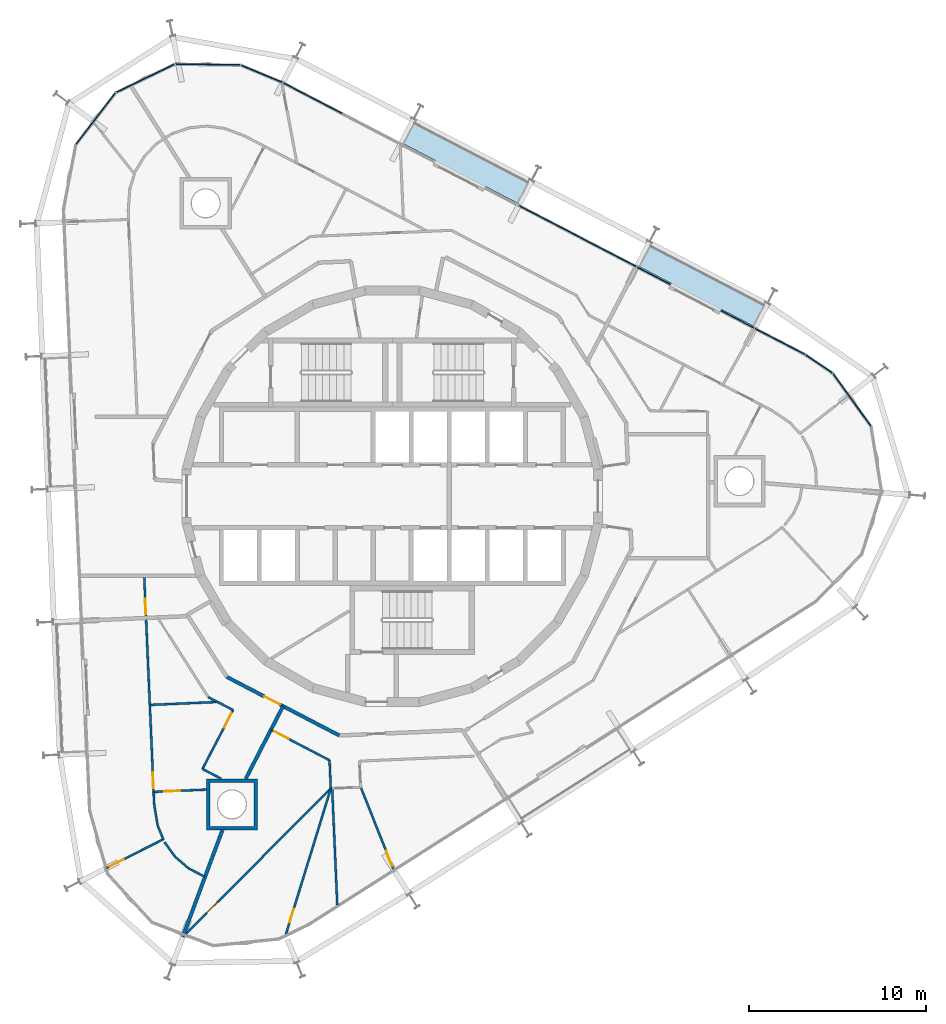
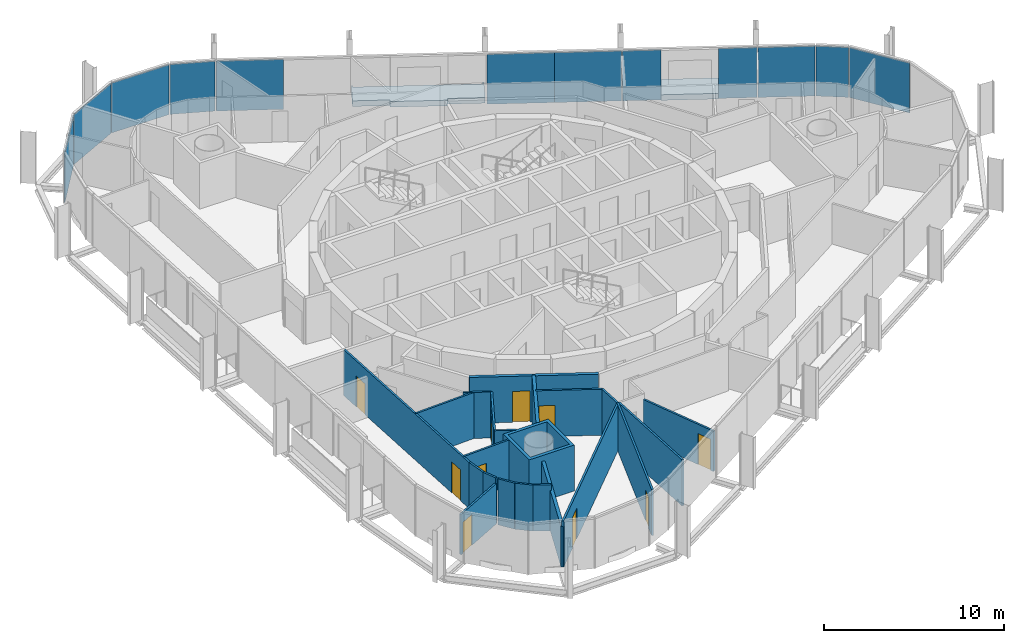
# One storey, part 11 of 17: 22 walls, 12 plates, 10 doors, 2 slabs, 10 openings, 3 elements without a shape of their own.
"""IFC4 building model written with IfcOpenShell, lengths in metres."""

from ifc_helpers import new_model, si_unit, direction, frame, frame_2d, origin, origin_2d, place, context, subcontext, project, spatial, polyline, rectangle, outline, extrude, material, layer, layer_set, type_object, element, fill, aggregate, save


model = new_model("IFC4")

# Units and contexts
model_context = context("Model", 3, precision=1e-05, world=origin(), true_north=direction((0.0, 1.0)))
body_context = subcontext(model_context, "Body", "Model", "MODEL_VIEW")
ifc_project = project(units=[si_unit("LENGTHUNIT", "METRE"), si_unit("AREAUNIT", "SQUARE_METRE"), si_unit("VOLUMEUNIT", "CUBIC_METRE"), si_unit("PLANEANGLEUNIT", "RADIAN"), si_unit("MASSUNIT", "GRAM", prefix="KILO")], contexts=[model_context])

# Site, building, storey
site_placement = place(None, origin())
site = spatial("IfcSite", under=ifc_project, at=site_placement, CompositionType="ELEMENT")
building_placement = place(site_placement, origin())
building = spatial("IfcBuilding", under=site, at=building_placement, Name="Spindle Arch Residences", CompositionType="ELEMENT")
storey_placement = place(building_placement, frame((0.0, 0.0, 237.199951171875)))
storey = spatial("IfcBuildingStorey", under=building, at=storey_placement, Name="L60", CompositionType="ELEMENT", Elevation=237.199951171875)

# Slabs
ifc_material_1 = material(Name="Concrete C40/50", Category="concrete")
ifc_layer_1 = layer(ifc_material_1, 0.3798828125)
ifc_layer_set_1 = layer_set([ifc_layer_1], Name="Balcony slab 380")
slab_type = type_object("IfcSlabType", Name="Balcony slab 380", PredefinedType="FLOOR", material=ifc_layer_set_1)
slab_1_placement = place(storey_placement, frame((0.0, 0.0, -0.3798828125)))
element("IfcSlab", 1, at=slab_1_placement, inside=storey, type_object=slab_type, Name="Balcony L60 bay 6", PredefinedType="FLOOR", context=body_context, shape_type="SweptSolid", body=[
    extrude(outline(polyline([(21.175537109375, 10.94287109375), (21.109130859375, 10.9775390625), (21.039794921875, 10.844482421875), (14.626708984375, 14.18310546875), (14.696044921875, 14.316162109375), (14.62939453125, 14.3505859375), (13.94140625, 13.029052734375), (15.79541015625, 12.06396484375), (15.721435546875, 11.922119140625), (18.559814453125, 10.444580078125), (18.6337890625, 10.58642578125), (20.487548828125, 9.621337890625), (21.175537109375, 10.94287109375)])), origin(), (0.0, 0.0, 1.0), 0.3798828125),
])
slab_2_placement = place(storey_placement, frame((0.0, 0.0, -0.3798828125)))
element("IfcSlab", 2, at=slab_2_placement, inside=storey, type_object=slab_type, Name="Balcony L60 bay 8", PredefinedType="FLOOR", context=body_context, shape_type="SweptSolid", body=[
    extrude(outline(polyline([(7.817138671875, 17.89697265625), (7.75048828125, 17.931640625), (7.681396484375, 17.798583984375), (1.268310546875, 21.136962890625), (1.33740234375, 21.27001953125), (1.27099609375, 21.3046875), (0.5830078125, 19.983154296875), (2.436767578125, 19.01806640625), (2.363037109375, 18.8759765625), (5.201416015625, 17.3984375), (5.275146484375, 17.540283203125), (7.129150390625, 16.5751953125), (7.817138671875, 17.89697265625)])), origin(), (0.0, 0.0, 1.0), 0.3798828125),
])

# Curtain wall, plates
ifc_material_2 = material(Name="Aluminium bronze unitised frame with tinted glass", Category="aluminium")
ifc_layer_2 = layer(ifc_material_2, 0.159912109375)
ifc_layer_set_2 = layer_set([ifc_layer_2], Name="CW-D corner wall on the fillet arcs")
curtain_wall_type_1 = type_object("IfcCurtainWallType", Name="CW-D corner wall on the fillet arcs", PredefinedType="NOTDEFINED", material=ifc_layer_set_2)
curtain_wall_1_placement = place(storey_placement, origin())
curtain_wall_1 = element("IfcCurtainWall", 3, at=curtain_wall_1_placement, inside=storey, type_object=curtain_wall_type_1, Name="CW-D L60 run 1", PredefinedType="NOTDEFINED")
ifc_material_3 = material(Name="Tinted double glazing over aluminium faced non-combustible spandrel zone (K0)", Category="aluminium")
ifc_layer_3 = layer(ifc_material_3, 0.06005859375)
ifc_layer_set_3 = layer_set([ifc_layer_3], Name="Unitised glass panel with E 60 spandrel zone")
plate_type = type_object("IfcPlateType", Name="Unitised glass panel with E 60 spandrel zone", PredefinedType="CURTAIN_PANEL", material=ifc_layer_set_3)
plate_1_placement = place(storey_placement, frame((26.024169921875, 5.460693359375, -0.3798828125), z_axis=(0.0, 0.0, 1.0), x_axis=(-0.585429431289, 0.810723368962, 0.0)))
plate_1 = element("IfcPlate", 4, at=plate_1_placement, type_object=plate_type, Name="CW-D unit 04", PredefinedType="CURTAIN_PANEL", context=body_context, shape_type="SweptSolid", body=[
    extrude(rectangle(XDim=3.666748046875, YDim=0.06005859375, at=origin_2d()), origin(), (0.0, 0.0, 1.0), 3.3798828125),
])
plate_2_placement = place(storey_placement, frame((24.156982421875, 7.498291015625, -0.3798828125), z_axis=(0.0, 0.0, 1.0), x_axis=(-0.827407441981, 0.561602105546, 0.0)))
plate_2 = element("IfcPlate", 5, at=plate_2_placement, type_object=plate_type, Name="CW-D unit 05", PredefinedType="CURTAIN_PANEL", context=body_context, shape_type="SweptSolid", body=[
    extrude(rectangle(XDim=1.816162109375, YDim=0.06005859375, at=origin_2d()), origin(), (0.0, 0.0, 1.0), 3.3798828125),
])
plate_3_placement = place(storey_placement, frame((21.948974609375, 8.770263671875, -0.3798828125), z_axis=(0.0, 0.0, 1.0), x_axis=(-0.887010833178, 0.461748613235, 0.0)))
plate_3 = element("IfcPlate", 6, at=plate_3_placement, type_object=plate_type, Name="CW-D unit 06", PredefinedType="CURTAIN_PANEL", context=body_context, shape_type="SweptSolid", body=[
    extrude(rectangle(XDim=3.16845703125, YDim=0.06005859375, at=origin_2d()), origin(), (0.0, 0.0, 1.0), 3.3798828125),
])
aggregate(curtain_wall_1, [plate_1, plate_2, plate_3])

ifc_material_4 = material(Name="Aluminium bronze unitised frame with tinted glass", Category="aluminium")
ifc_layer_4 = layer(ifc_material_4, 0.159912109375)
ifc_layer_set_4 = layer_set([ifc_layer_4], Name="CW-C typical residential unitised wall")
curtain_wall_type_2 = type_object("IfcCurtainWallType", Name="CW-C typical residential unitised wall", PredefinedType="NOTDEFINED", material=ifc_layer_set_4)
curtain_wall_2_placement = place(storey_placement, origin())
curtain_wall_2 = element("IfcCurtainWall", 7, at=curtain_wall_2_placement, inside=storey, type_object=curtain_wall_type_2, Name="CW-C L60 run 2", PredefinedType="NOTDEFINED")
plate_4_placement = place(storey_placement, frame((19.543701171875, 10.0224609375, -0.3798828125), z_axis=(0.0, 0.0, 1.0), x_axis=(-0.887010833178, 0.461748613235, 0.0)))
plate_4 = element("IfcPlate", 8, at=plate_4_placement, type_object=plate_type, Name="CW-C unit 05L", PredefinedType="CURTAIN_PANEL", context=body_context, shape_type="SweptSolid", body=[
    extrude(rectangle(XDim=2.135009765625, YDim=0.06005859375, at=origin_2d()), origin(), (0.0, 0.0, 1.0), 3.3798828125),
])
plate_5_placement = place(storey_placement, frame((14.8115234375, 12.48583984375, -0.3798828125), z_axis=(0.0, 0.0, 1.0), x_axis=(-0.887010833178, 0.461748613235, 0.0)))
plate_5 = element("IfcPlate", 9, at=plate_5_placement, type_object=plate_type, Name="CW-C unit 05R", PredefinedType="CURTAIN_PANEL", context=body_context, shape_type="SweptSolid", body=[
    extrude(rectangle(XDim=2.135009765625, YDim=0.06005859375, at=origin_2d()), origin(), (0.0, 0.0, 1.0), 3.3798828125),
])
plate_6_placement = place(storey_placement, frame((12.15478515625, 13.868896484375, -0.3798828125), z_axis=(0.0, 0.0, 1.0), x_axis=(-0.887010833178, 0.461748613235, 0.0)))
plate_6 = element("IfcPlate", 10, at=plate_6_placement, type_object=plate_type, Name="CW-C unit 06A", PredefinedType="CURTAIN_PANEL", context=body_context, shape_type="SweptSolid", body=[
    extrude(rectangle(XDim=3.735107421875, YDim=0.06005859375, at=origin_2d()), origin(), (0.0, 0.0, 1.0), 3.3798828125),
])
plate_7_placement = place(storey_placement, frame((8.841796875, 15.593505859375, -0.3798828125), z_axis=(0.0, 0.0, 1.0), x_axis=(-0.887010833178, 0.461748613235, 0.0)))
plate_7 = element("IfcPlate", 11, at=plate_7_placement, type_object=plate_type, Name="CW-C unit 06B", PredefinedType="CURTAIN_PANEL", context=body_context, shape_type="SweptSolid", body=[
    extrude(rectangle(XDim=3.735107421875, YDim=0.06005859375, at=origin_2d()), origin(), (0.0, 0.0, 1.0), 3.3798828125),
])
plate_8_placement = place(storey_placement, frame((-4.5166015625, 22.547607421875, -0.3798828125), z_axis=(0.0, 0.0, 1.0), x_axis=(-0.887010833178, 0.461748613235, 0.0)))
plate_8 = element("IfcPlate", 12, at=plate_8_placement, type_object=plate_type, Name="CW-C unit 08B", PredefinedType="CURTAIN_PANEL", context=body_context, shape_type="SweptSolid", body=[
    extrude(rectangle(XDim=3.735107421875, YDim=0.06005859375, at=origin_2d()), origin(), (0.0, 0.0, 1.0), 3.3798828125),
])
aggregate(curtain_wall_2, [plate_4, plate_5, plate_6, plate_7, plate_8])

curtain_wall_3_placement = place(storey_placement, origin())
curtain_wall_3 = element("IfcCurtainWall", 13, at=curtain_wall_3_placement, inside=storey, type_object=curtain_wall_type_1, Name="CW-D L60 run 3", PredefinedType="NOTDEFINED")
plate_9_placement = place(storey_placement, frame((-7.39501953125, 23.923095703125, -0.3798828125), z_axis=(0.0, 0.0, 1.0), x_axis=(-0.92268610302, 0.385552013734, 0.0)))
plate_9 = element("IfcPlate", 14, at=plate_9_placement, type_object=plate_type, Name="CW-D unit 00", PredefinedType="CURTAIN_PANEL", context=body_context, shape_type="SweptSolid", body=[
    extrude(rectangle(XDim=2.531005859375, YDim=0.06005859375, at=origin_2d()), origin(), (0.0, 0.0, 1.0), 3.3798828125),
])
plate_10_placement = place(storey_placement, frame((-10.45361328125, 24.44970703125, -0.3798828125), z_axis=(0.0, 0.0, 1.0), x_axis=(-0.999894231949, 0.014543896145, 0.0)))
plate_10 = element("IfcPlate", 15, at=plate_10_placement, type_object=plate_type, Name="CW-D unit 01", PredefinedType="CURTAIN_PANEL", context=body_context, shape_type="SweptSolid", body=[
    extrude(rectangle(XDim=3.666748046875, YDim=0.06005859375, at=origin_2d()), origin(), (0.0, 0.0, 1.0), 3.3798828125),
])
plate_11_placement = place(storey_placement, frame((-13.993896484375, 23.664794921875, -0.3798828125), z_axis=(0.0, 0.0, 1.0), x_axis=(-0.900065409075, -0.435754815677, 0.0)))
plate_11 = element("IfcPlate", 16, at=plate_11_placement, type_object=plate_type, Name="CW-D unit 02", PredefinedType="CURTAIN_PANEL", context=body_context, shape_type="SweptSolid", body=[
    extrude(rectangle(XDim=3.666748046875, YDim=0.06005859375, at=origin_2d()), origin(), (0.0, 0.0, 1.0), 3.3798828125),
])
plate_12_placement = place(storey_placement, frame((-16.805419921875, 21.37451171875, -0.3798828125), z_axis=(0.0, 0.0, 1.0), x_axis=(-0.60876142329, -0.793353344679, 0.0)))
plate_12 = element("IfcPlate", 17, at=plate_12_placement, type_object=plate_type, Name="CW-D unit 03", PredefinedType="CURTAIN_PANEL", context=body_context, shape_type="SweptSolid", body=[
    extrude(rectangle(XDim=3.666748046875, YDim=0.06005859375, at=origin_2d()), origin(), (0.0, 0.0, 1.0), 3.3798828125),
])
aggregate(curtain_wall_3, [plate_9, plate_10, plate_11, plate_12])

# Wall, opening, door
ifc_material_5 = material(Name="Calcium silicate block, plastered")
ifc_layer_5 = layer(ifc_material_5, 0.199951171875)
ifc_layer_set_5 = layer_set([ifc_layer_5], Name="Corridor wall 200")
wall_type_1 = type_object("IfcWallType", Name="Corridor wall 200", PredefinedType="STANDARD", material=ifc_layer_set_5)
wall_1_placement = place(storey_placement, frame((-9.372314453125, -10.22802734375, 0.0), z_axis=(0.0, 0.0, 1.0), x_axis=(0.887005184532, -0.461759464021, 0.0)))
wall_1 = element("IfcWall", 18, at=wall_1_placement, inside=storey, type_object=wall_type_1, Name="Corridor wall R6B1-W019", PredefinedType="STANDARD", context=body_context, shape_type="SweptSolid", body=[
    extrude(rectangle(XDim=7.18115234375, YDim=0.199951171875, at=frame_2d((3.590576171875, 0.0))), origin(), (0.0, 0.0, 1.0), 3.1201171875),
])
opening_1_placement = place(wall_1_placement, frame((2.390625, 0.0, 0.0)))
opening_1 = element("IfcOpeningElement", 19, at=opening_1_placement, cuts=wall_1, Name="Opening R6B1-FD04", PredefinedType="OPENING", context=body_context, shape_type="SweptSolid", body=[
    extrude(rectangle(XDim=1.0, YDim=2.10009765625, at=frame_2d((0.5, 1.050048828125))), frame((0.0, 0.10986328125, 0.0), z_axis=(0.0, -1.0, 0.0), x_axis=(1.0, 0.0, 0.0)), (0.0, 0.0, 1.0), 0.219970703125),
])
ifc_material_6 = material(Name="Timber, fire-resisting door set", Category="wood")
door_type_1 = type_object("IfcDoorType", Name="Flat entrance door 1000x2100", OperationType="NOTDEFINED", PredefinedType="DOOR", material=ifc_material_6)
door_1_placement = place(opening_1_placement, origin())
door_1 = element("IfcDoor", 20, at=door_1_placement, inside=storey, type_object=door_type_1, Name="Flat entrance door R6B1-FD04", OperationType="SINGLE_SWING_RIGHT", OverallHeight=2.10009765625, OverallWidth=1.0, PredefinedType="DOOR", context=body_context, shape_type="SweptSolid", body=[
    extrude(rectangle(XDim=1.0, YDim=2.10009765625, at=frame_2d((0.5, 1.050048828125))), frame((0.0, 0.02490234375, 0.0), z_axis=(0.0, -1.0, 0.0), x_axis=(1.0, 0.0, 0.0)), (0.0, 0.0, 1.0), 0.050048828125),
])
fill(opening_1, door_1)

# Wall, openings, doors
ifc_material_7 = material(Name="Plasterboard on steel studs", Category="steel")
ifc_layer_6 = layer(ifc_material_7, 0.1201171875)
ifc_layer_set_6 = layer_set([ifc_layer_6], Name="Flat partition 120")
wall_type_2 = type_object("IfcWallType", Name="Flat partition 120", PredefinedType="PARTITIONING", material=ifc_layer_set_6)
wall_2_placement = place(storey_placement, frame((-13.487060546875, -17.4287109375, 0.0), z_axis=(0.0, 0.0, 1.0), x_axis=(-0.043617336945, 0.999048311103, 0.0)))
wall_2 = element("IfcWall", 21, at=wall_2_placement, inside=storey, type_object=wall_type_2, Name="Flat partition R6B1-W071", PredefinedType="PARTITIONING", context=body_context, shape_type="SweptSolid", body=[
    extrude(rectangle(XDim=12.94091796875, YDim=0.1201171875, at=frame_2d((6.470458984375, 0.0))), origin(), (0.0, 0.0, 1.0), 3.1201171875),
])
opening_2_placement = place(wall_2_placement, frame((10.748779296875, 0.0, 0.0)))
opening_2 = element("IfcOpeningElement", 22, at=opening_2_placement, cuts=wall_2, Name="Opening R6B1-ID13", PredefinedType="OPENING", context=body_context, shape_type="SweptSolid", body=[
    extrude(rectangle(XDim=0.89990234375, YDim=2.10009765625, at=frame_2d((0.449951171875, 1.050048828125))), frame((0.0, 0.070068359375, 0.0), z_axis=(0.0, -1.0, 0.0), x_axis=(1.0, 0.0, 0.0)), (0.0, 0.0, 1.0), 0.14013671875),
])
opening_3_placement = place(wall_2_placement, frame((0.8916015625, 0.0, 0.0)))
opening_3 = element("IfcOpeningElement", 23, at=opening_3_placement, cuts=wall_2, Name="Opening R6B1-ID15", PredefinedType="OPENING", context=body_context, shape_type="SweptSolid", body=[
    extrude(rectangle(XDim=0.89990234375, YDim=2.10009765625, at=frame_2d((0.449951171875, 1.050048828125))), frame((0.0, 0.070068359375, 0.0), z_axis=(0.0, -1.0, 0.0), x_axis=(1.0, 0.0, 0.0)), (0.0, 0.0, 1.0), 0.14013671875),
])
ifc_material_8 = material(Name="Timber door set", Category="wood")
door_type_2 = type_object("IfcDoorType", Name="Room door 900x2100", OperationType="NOTDEFINED", PredefinedType="DOOR", material=ifc_material_8)
door_2_placement = place(opening_2_placement, origin())
door_2 = element("IfcDoor", 24, at=door_2_placement, inside=storey, type_object=door_type_2, Name="Room door R6B1-ID13", OperationType="SINGLE_SWING_LEFT", OverallHeight=2.10009765625, OverallWidth=0.89990234375, PredefinedType="DOOR", context=body_context, shape_type="SweptSolid", body=[
    extrude(rectangle(XDim=0.89990234375, YDim=2.10009765625, at=frame_2d((0.449951171875, 1.050048828125))), frame((0.0, 0.02490234375, 0.0), z_axis=(0.0, -1.0, 0.0), x_axis=(1.0, 0.0, 0.0)), (0.0, 0.0, 1.0), 0.050048828125),
])
fill(opening_2, door_2)
door_3_placement = place(opening_3_placement, origin())
door_3 = element("IfcDoor", 25, at=door_3_placement, inside=storey, type_object=door_type_2, Name="Room door R6B1-ID15", OperationType="SINGLE_SWING_RIGHT", OverallHeight=2.10009765625, OverallWidth=0.89990234375, PredefinedType="DOOR", context=body_context, shape_type="SweptSolid", body=[
    extrude(rectangle(XDim=0.89990234375, YDim=2.10009765625, at=frame_2d((0.449951171875, 1.050048828125))), frame((0.0, 0.02490234375, 0.0), z_axis=(0.0, -1.0, 0.0), x_axis=(1.0, 0.0, 0.0)), (0.0, 0.0, 1.0), 0.050048828125),
])
fill(opening_3, door_3)

# Wall
wall_3_placement = place(storey_placement, frame((-10.42138671875, -11.373046875, 0.0), z_axis=(0.0, 0.0, 1.0), x_axis=(0.887065333052, -0.461643904864, 0.0)))
element("IfcWall", 26, at=wall_3_placement, inside=storey, type_object=wall_type_2, Name="Flat partition R6B1-W073", PredefinedType="PARTITIONING", context=body_context, shape_type="SweptSolid", body=[
    extrude(rectangle(XDim=1.583984375, YDim=0.1201171875, at=frame_2d((0.7919921875, 0.0))), origin(), (0.0, 0.0, 1.0), 3.1201171875),
])

# Wall, opening, door
wall_4_placement = place(storey_placement, frame((-9.016357421875, -12.104248046875, 0.0), z_axis=(0.0, 0.0, 1.0), x_axis=(-0.4617534789, -0.887008300256, 0.0)))
wall_4 = element("IfcWall", 27, at=wall_4_placement, inside=storey, type_object=wall_type_2, Name="Flat partition R6B1-W074", PredefinedType="PARTITIONING", context=body_context, shape_type="SweptSolid", body=[
    extrude(rectangle(XDim=3.75927734375, YDim=0.1201171875, at=frame_2d((1.879638671875, 0.0))), origin(), (0.0, 0.0, 1.0), 3.1201171875),
])
opening_4_placement = place(wall_4_placement, frame((0.199951171875, 0.0, 0.0)))
opening_4 = element("IfcOpeningElement", 28, at=opening_4_placement, cuts=wall_4, Name="Opening R6B1-ID14", PredefinedType="OPENING", context=body_context, shape_type="SweptSolid", body=[
    extrude(rectangle(XDim=0.89990234375, YDim=2.10009765625, at=frame_2d((0.449951171875, 1.050048828125))), frame((0.0, 0.070068359375, 0.0), z_axis=(0.0, -1.0, 0.0), x_axis=(1.0, 0.0, 0.0)), (0.0, 0.0, 1.0), 0.14013671875),
])
door_4_placement = place(opening_4_placement, origin())
door_4 = element("IfcDoor", 29, at=door_4_placement, inside=storey, type_object=door_type_2, Name="Room door R6B1-ID14", OperationType="SINGLE_SWING_RIGHT", OverallHeight=2.10009765625, OverallWidth=0.89990234375, PredefinedType="DOOR", context=body_context, shape_type="SweptSolid", body=[
    extrude(rectangle(XDim=0.89990234375, YDim=2.10009765625, at=frame_2d((0.449951171875, 1.050048828125))), frame((0.0, 0.02490234375, 0.0), z_axis=(0.0, -1.0, 0.0), x_axis=(1.0, 0.0, 0.0)), (0.0, 0.0, 1.0), 0.050048828125),
])
fill(opening_4, door_4)

# Walls
wall_5_placement = place(storey_placement, frame((-10.752197265625, -15.438720703125, 0.0), z_axis=(0.0, 0.0, 1.0), x_axis=(0.887031383626, -0.461709134048, 0.0)))
element("IfcWall", 30, at=wall_5_placement, inside=storey, type_object=wall_type_2, Name="Flat partition R6B1-W075", PredefinedType="PARTITIONING", context=body_context, shape_type="SweptSolid", body=[
    extrude(rectangle(XDim=1.207763671875, YDim=0.1201171875, at=frame_2d((0.60400390625, 0.0))), origin(), (0.0, 0.0, 1.0), 3.1201171875),
])
wall_6_placement = place(storey_placement, frame((-13.732177734375, -11.81396484375, 0.0), z_axis=(0.0, 0.0, 1.0), x_axis=(0.999048344587, 0.043616569999, 0.0)))
element("IfcWall", 31, at=wall_6_placement, inside=storey, type_object=wall_type_2, Name="Flat partition R6B1-W076", PredefinedType="PARTITIONING", context=body_context, shape_type="SweptSolid", body=[
    extrude(rectangle(XDim=3.83984375, YDim=0.1201171875, at=frame_2d((1.919921875, 0.0))), origin(), (0.0, 0.0, 1.0), 3.1201171875),
])
wall_7_placement = place(storey_placement, frame((-12.95361328125, -19.45556640625, 0.0), z_axis=(0.0, 0.0, 1.0), x_axis=(-0.382807777256, 0.923828017367, 0.0)))
element("IfcWall", 32, at=wall_7_placement, inside=storey, type_object=wall_type_2, Name="Flat partition R6B1-W077", PredefinedType="PARTITIONING", context=body_context, shape_type="SweptSolid", body=[
    extrude(rectangle(XDim=0.882568359375, YDim=0.1201171875, at=frame_2d((0.44140625, 0.0))), origin(), (0.0, 0.0, 1.0), 3.1201171875),
])
wall_8_placement = place(storey_placement, frame((-13.29150390625, -18.64013671875, 0.0), z_axis=(0.0, 0.0, 1.0), x_axis=(-0.159363796836, 0.98721992497, 0.0)))
element("IfcWall", 33, at=wall_8_placement, inside=storey, type_object=wall_type_2, Name="Flat partition R6B1-W078", PredefinedType="PARTITIONING", context=body_context, shape_type="SweptSolid", body=[
    extrude(rectangle(XDim=1.22705078125, YDim=0.1201171875, at=frame_2d((0.613525390625, 0.0))), origin(), (0.0, 0.0, 1.0), 3.1201171875),
])

# Wall, opening, door
wall_9_placement = place(storey_placement, frame((-13.51708984375, -16.738037109375, 0.0), z_axis=(0.0, 0.0, 1.0), x_axis=(0.999047660155, 0.043632244256, 0.0)))
wall_9 = element("IfcWall", 34, at=wall_9_placement, inside=storey, type_object=wall_type_2, Name="Flat partition R6B1-W080", PredefinedType="PARTITIONING", context=body_context, shape_type="SweptSolid", body=[
    extrude(rectangle(XDim=2.988037109375, YDim=0.1201171875, at=frame_2d((1.494140625, 0.0))), origin(), (0.0, 0.0, 1.0), 3.1201171875),
])
opening_5_placement = place(wall_9_placement, frame((0.60009765625, 0.0, 0.0)))
opening_5 = element("IfcOpeningElement", 35, at=opening_5_placement, cuts=wall_9, Name="Opening R6B1-ID16", PredefinedType="OPENING", context=body_context, shape_type="SweptSolid", body=[
    extrude(rectangle(XDim=0.89990234375, YDim=2.10009765625, at=frame_2d((0.449951171875, 1.050048828125))), frame((0.0, 0.070068359375, 0.0), z_axis=(0.0, -1.0, 0.0), x_axis=(1.0, 0.0, 0.0)), (0.0, 0.0, 1.0), 0.14013671875),
])
door_5_placement = place(opening_5_placement, origin())
door_5 = element("IfcDoor", 36, at=door_5_placement, inside=storey, type_object=door_type_2, Name="Room door R6B1-ID16", OperationType="SINGLE_SWING_RIGHT", OverallHeight=2.10009765625, OverallWidth=0.89990234375, PredefinedType="DOOR", context=body_context, shape_type="SweptSolid", body=[
    extrude(rectangle(XDim=0.89990234375, YDim=2.10009765625, at=frame_2d((0.449951171875, 1.050048828125))), frame((0.0, 0.02490234375, 0.0), z_axis=(0.0, -1.0, 0.0), x_axis=(1.0, 0.0, 0.0)), (0.0, 0.0, 1.0), 0.050048828125),
])
fill(opening_5, door_5)

# Walls
for number, where, z_axis, x_axis, name in (
    (37, (-12.902587890625, -19.578857421875, 0.0), (0.0, 0.0, 1.0), (0.585481778516, -0.810685566065, 0.0), "Flat partition R6B1-W081"),
    (38, (-12.307861328125, -20.40234375, 0.0), (0.0, 0.0, 1.0), (0.756552751789, -0.653932667604, 0.0), "Flat partition R6B1-W082"),
    (39, (-11.539306640625, -21.066650390625, 0.0), (0.0, 0.0, 1.0), (0.886953051048, -0.461859594721, 0.0), "Flat partition R6B1-W083"),
):
    element("IfcWall", number, at=place(storey_placement, frame(where, z_axis=z_axis, x_axis=x_axis)), inside=storey, type_object=wall_type_2, Name=name, PredefinedType="PARTITIONING", context=body_context, shape_type="SweptSolid", body=[
        extrude(rectangle(XDim=1.015869140625, YDim=0.1201171875, at=frame_2d((0.5078125, 0.0))), origin(), (0.0, 0.0, 1.0), 3.1201171875),
    ])

# Wall, opening, door
wall_10_placement = place(storey_placement, frame((-6.861328125, -13.22607421875, 0.0), z_axis=(0.0, 0.0, 1.0), x_axis=(0.887010791097, -0.461748694073, 0.0)))
wall_10 = element("IfcWall", 40, at=wall_10_placement, inside=storey, type_object=wall_type_2, Name="Flat partition R6B1-W084", PredefinedType="PARTITIONING", context=body_context, shape_type="SweptSolid", body=[
    extrude(rectangle(XDim=3.72705078125, YDim=0.1201171875, at=frame_2d((1.863525390625, 0.0))), origin(), (0.0, 0.0, 1.0), 3.1201171875),
])
opening_6_placement = place(wall_10_placement, frame((0.199951171875, 0.0, 0.0)))
opening_6 = element("IfcOpeningElement", 41, at=opening_6_placement, cuts=wall_10, Name="Opening R6B1-ID18", PredefinedType="OPENING", context=body_context, shape_type="SweptSolid", body=[
    extrude(rectangle(XDim=0.89990234375, YDim=2.10009765625, at=frame_2d((0.449951171875, 1.050048828125))), frame((0.0, 0.070068359375, 0.0), z_axis=(0.0, -1.0, 0.0), x_axis=(1.0, 0.0, 0.0)), (0.0, 0.0, 1.0), 0.14013671875),
])
door_6_placement = place(opening_6_placement, origin())
door_6 = element("IfcDoor", 42, at=door_6_placement, inside=storey, type_object=door_type_2, Name="Room door R6B1-ID18", OperationType="SINGLE_SWING_LEFT", OverallHeight=2.10009765625, OverallWidth=0.89990234375, PredefinedType="DOOR", context=body_context, shape_type="SweptSolid", body=[
    extrude(rectangle(XDim=0.89990234375, YDim=2.10009765625, at=frame_2d((0.449951171875, 1.050048828125))), frame((0.0, 0.02490234375, 0.0), z_axis=(0.0, -1.0, 0.0), x_axis=(1.0, 0.0, 0.0)), (0.0, 0.0, 1.0), 0.050048828125),
])
fill(opening_6, door_6)

# Wall
wall_11_placement = place(storey_placement, frame((-3.555419921875, -14.947021484375, 0.0), z_axis=(0.0, 0.0, 1.0), x_axis=(0.043470204022, -0.999054723908, 0.0)))
element("IfcWall", 43, at=wall_11_placement, inside=storey, type_object=wall_type_2, Name="Flat partition R6B1-W085", PredefinedType="PARTITIONING", context=body_context, shape_type="SweptSolid", body=[
    extrude(rectangle(XDim=1.606201171875, YDim=0.1201171875, at=frame_2d((0.80322265625, 0.0))), origin(), (0.0, 0.0, 1.0), 3.1201171875),
])

# Wall, opening, door
wall_12_placement = place(storey_placement, frame((-11.8623046875, -24.939697265625, 0.0), z_axis=(0.0, 0.0, 1.0), x_axis=(0.70663293894, 0.707580306117, 0.0)))
wall_12 = element("IfcWall", 44, at=wall_12_placement, inside=storey, type_object=wall_type_2, Name="Flat partition R6B1-W089", PredefinedType="PARTITIONING", context=body_context, shape_type="SweptSolid", body=[
    extrude(rectangle(XDim=11.8544921875, YDim=0.1201171875, at=frame_2d((5.92724609375, 0.0))), origin(), (0.0, 0.0, 1.0), 3.1201171875),
])
opening_7_placement = place(wall_12_placement, frame((1.89990234375, 0.0, 0.0)))
opening_7 = element("IfcOpeningElement", 45, at=opening_7_placement, cuts=wall_12, Name="Opening R6B1-ID21", PredefinedType="OPENING", context=body_context, shape_type="SweptSolid", body=[
    extrude(rectangle(XDim=0.89990234375, YDim=2.10009765625, at=frame_2d((0.449951171875, 1.050048828125))), frame((0.0, 0.070068359375, 0.0), z_axis=(0.0, -1.0, 0.0), x_axis=(1.0, 0.0, 0.0)), (0.0, 0.0, 1.0), 0.14013671875),
])
door_7_placement = place(opening_7_placement, origin())
door_7 = element("IfcDoor", 46, at=door_7_placement, inside=storey, type_object=door_type_2, Name="Room door R6B1-ID21", OperationType="SINGLE_SWING_RIGHT", OverallHeight=2.10009765625, OverallWidth=0.89990234375, PredefinedType="DOOR", context=body_context, shape_type="SweptSolid", body=[
    extrude(rectangle(XDim=0.89990234375, YDim=2.10009765625, at=frame_2d((0.449951171875, 1.050048828125))), frame((0.0, 0.02490234375, 0.0), z_axis=(0.0, -1.0, 0.0), x_axis=(1.0, 0.0, 0.0)), (0.0, 0.0, 1.0), 0.050048828125),
])
fill(opening_7, door_7)

wall_13_placement = place(storey_placement, frame((-6.02587890625, -24.794921875, 0.0), z_axis=(0.0, 0.0, 1.0), x_axis=(0.294501505058, 0.955651015548, 0.0)))
wall_13 = element("IfcWall", 47, at=wall_13_placement, inside=storey, type_object=wall_type_2, Name="Flat partition R6B1-W090", PredefinedType="PARTITIONING", context=body_context, shape_type="SweptSolid", body=[
    extrude(rectangle(XDim=8.625732421875, YDim=0.1201171875, at=frame_2d((4.31298828125, 0.0))), origin(), (0.0, 0.0, 1.0), 3.1201171875),
])
opening_8_placement = place(wall_13_placement, frame((0.699951171875, 0.0, 0.0)))
opening_8 = element("IfcOpeningElement", 48, at=opening_8_placement, cuts=wall_13, Name="Opening R6B1-BD05", PredefinedType="OPENING", context=body_context, shape_type="SweptSolid", body=[
    extrude(rectangle(XDim=0.800048828125, YDim=2.10009765625, at=frame_2d((0.39990234375, 1.050048828125))), frame((0.0, 0.070068359375, 0.0), z_axis=(0.0, -1.0, 0.0), x_axis=(1.0, 0.0, 0.0)), (0.0, 0.0, 1.0), 0.14013671875),
])
ifc_material_9 = material(Name="Timber door set", Category="wood")
door_type_3 = type_object("IfcDoorType", Name="Bathroom door 800x2100", OperationType="NOTDEFINED", PredefinedType="DOOR", material=ifc_material_9)
door_8_placement = place(opening_8_placement, origin())
door_8 = element("IfcDoor", 49, at=door_8_placement, inside=storey, type_object=door_type_3, Name="Bathroom door R6B1-BD05", OperationType="SINGLE_SWING_RIGHT", OverallHeight=2.10009765625, OverallWidth=0.800048828125, PredefinedType="DOOR", context=body_context, shape_type="SweptSolid", body=[
    extrude(rectangle(XDim=0.800048828125, YDim=2.10009765625, at=frame_2d((0.39990234375, 1.050048828125))), frame((0.0, 0.02490234375, 0.0), z_axis=(0.0, -1.0, 0.0), x_axis=(1.0, 0.0, 0.0)), (0.0, 0.0, 1.0), 0.050048828125),
])
fill(opening_8, door_8)

# Wall
wall_14_placement = place(storey_placement, frame((-3.119140625, -23.13330078125, 0.0), z_axis=(0.0, 0.0, 1.0), x_axis=(-0.043633326708, 0.99904761288, 0.0)))
element("IfcWall", 50, at=wall_14_placement, inside=storey, type_object=wall_type_2, Name="Flat partition R6B1-W091", PredefinedType="PARTITIONING", context=body_context, shape_type="SweptSolid", body=[
    extrude(rectangle(XDim=6.59130859375, YDim=0.1201171875, at=frame_2d((3.295654296875, 0.0))), origin(), (0.0, 0.0, 1.0), 3.1201171875),
])

# Wall, opening, door
ifc_material_10 = material(Name="Plasterboard on steel studs", Category="steel")
ifc_layer_7 = layer(ifc_material_10, 0.1201171875)
ifc_layer_set_7 = layer_set([ifc_layer_7], Name="Flat partition 120 under beam 2730")
wall_type_3 = type_object("IfcWallType", Name="Flat partition 120 under beam 2730", PredefinedType="PARTITIONING", material=ifc_layer_set_7)
wall_15_placement = place(storey_placement, frame((-16.18896484375, -21.05224609375, 0.0), z_axis=(0.0, 0.0, 1.0), x_axis=(0.891801938239, 0.452426019316, 0.0)))
wall_15 = element("IfcWall", 51, at=wall_15_placement, inside=storey, type_object=wall_type_3, Name="Flat partition R6B1-W079", PredefinedType="PARTITIONING", context=body_context, shape_type="SweptSolid", body=[
    extrude(rectangle(XDim=3.610595703125, YDim=0.1201171875, at=frame_2d((1.80517578125, 0.0))), origin(), (0.0, 0.0, 1.0), 2.72998046875),
])
opening_9_placement = place(wall_15_placement, frame((0.199951171875, 0.0, 0.0)))
opening_9 = element("IfcOpeningElement", 52, at=opening_9_placement, cuts=wall_15, Name="Opening R6B1-ID17", PredefinedType="OPENING", context=body_context, shape_type="SweptSolid", body=[
    extrude(rectangle(XDim=0.89990234375, YDim=2.10009765625, at=frame_2d((0.449951171875, 1.050048828125))), frame((0.0, 0.070068359375, 0.0), z_axis=(0.0, -1.0, 0.0), x_axis=(1.0, 0.0, 0.0)), (0.0, 0.0, 1.0), 0.14013671875),
])
door_9_placement = place(opening_9_placement, origin())
door_9 = element("IfcDoor", 53, at=door_9_placement, inside=storey, type_object=door_type_2, Name="Room door R6B1-ID17", OperationType="SINGLE_SWING_RIGHT", OverallHeight=2.10009765625, OverallWidth=0.89990234375, PredefinedType="DOOR", context=body_context, shape_type="SweptSolid", body=[
    extrude(rectangle(XDim=0.89990234375, YDim=2.10009765625, at=frame_2d((0.449951171875, 1.050048828125))), frame((0.0, 0.02490234375, 0.0), z_axis=(0.0, -1.0, 0.0), x_axis=(1.0, 0.0, 0.0)), (0.0, 0.0, 1.0), 0.050048828125),
])
fill(opening_9, door_9)

wall_16_placement = place(storey_placement, frame((0.05615234375, -21.110107421875, 0.0), z_axis=(0.0, 0.0, 1.0), x_axis=(-0.369701541807, 0.929150563679, 0.0)))
wall_16 = element("IfcWall", 54, at=wall_16_placement, inside=storey, type_object=wall_type_3, Name="Flat partition R6B1-W092", PredefinedType="PARTITIONING", context=body_context, shape_type="SweptSolid", body=[
    extrude(rectangle(XDim=4.98583984375, YDim=0.1201171875, at=frame_2d((2.492919921875, 0.0))), origin(), (0.0, 0.0, 1.0), 2.72998046875),
])
opening_10_placement = place(wall_16_placement, frame((0.199951171875, 0.0, 0.0)))
opening_10 = element("IfcOpeningElement", 55, at=opening_10_placement, cuts=wall_16, Name="Opening R6B1-ID22", PredefinedType="OPENING", context=body_context, shape_type="SweptSolid", body=[
    extrude(rectangle(XDim=0.89990234375, YDim=2.10009765625, at=frame_2d((0.449951171875, 1.050048828125))), frame((0.0, 0.070068359375, 0.0), z_axis=(0.0, -1.0, 0.0), x_axis=(1.0, 0.0, 0.0)), (0.0, 0.0, 1.0), 0.14013671875),
])
door_10_placement = place(opening_10_placement, origin())
door_10 = element("IfcDoor", 56, at=door_10_placement, inside=storey, type_object=door_type_2, Name="Room door R6B1-ID22", OperationType="SINGLE_SWING_LEFT", OverallHeight=2.10009765625, OverallWidth=0.89990234375, PredefinedType="DOOR", context=body_context, shape_type="SweptSolid", body=[
    extrude(rectangle(XDim=0.89990234375, YDim=2.10009765625, at=frame_2d((0.449951171875, 1.050048828125))), frame((0.0, 0.02490234375, 0.0), z_axis=(0.0, -1.0, 0.0), x_axis=(1.0, 0.0, 0.0)), (0.0, 0.0, 1.0), 0.050048828125),
])
fill(opening_10, door_10)

# Walls
ifc_material_11 = material(Name="Calcium silicate block, plastered")
ifc_layer_8 = layer(ifc_material_11, 0.199951171875)
ifc_layer_set_8 = layer_set([ifc_layer_8], Name="Flat party wall 200")
wall_type_4 = type_object("IfcWallType", Name="Flat party wall 200", PredefinedType="STANDARD", material=ifc_layer_set_8)
wall_17_placement = place(storey_placement, frame((-8.303466796875, -15.996337890625, 0.0), z_axis=(0.0, 0.0, 1.0), x_axis=(0.457702371186, 0.889105471477, 0.0)))
element("IfcWall", 57, at=wall_17_placement, inside=storey, type_object=wall_type_4, Name="Flat party wall R6B1-W034", PredefinedType="STANDARD", context=body_context, shape_type="SweptSolid", body=[
    extrude(rectangle(XDim=4.623046875, YDim=0.199951171875, at=frame_2d((2.3115234375, 0.0))), origin(), (0.0, 0.0, 1.0), 3.1201171875),
])
ifc_material_12 = material(Name="Calcium silicate block, plastered")
ifc_layer_9 = layer(ifc_material_12, 0.199951171875)
ifc_layer_set_9 = layer_set([ifc_layer_9], Name="Flat party wall 200 under beam 2730")
wall_type_5 = type_object("IfcWallType", Name="Flat party wall 200 under beam 2730", PredefinedType="STANDARD", material=ifc_layer_set_9)
wall_18_placement = place(storey_placement, frame((-11.865478515625, -24.93896484375, 0.0), z_axis=(0.0, 0.0, 1.0), x_axis=(0.348245485283, 0.937403372076, 0.0)))
element("IfcWall", 58, at=wall_18_placement, inside=storey, type_object=wall_type_5, Name="Flat party wall R6B1-W035", PredefinedType="STANDARD", context=body_context, shape_type="SweptSolid", body=[
    extrude(rectangle(XDim=6.4462890625, YDim=0.199951171875, at=frame_2d((3.22314453125, 0.0))), origin(), (0.0, 0.0, 1.0), 2.72998046875),
])
ifc_material_13 = material(Name="Calcium silicate block, plastered")
ifc_layer_10 = layer(ifc_material_13, 0.199951171875)
ifc_layer_set_10 = layer_set([ifc_layer_10], Name="Mega-column casing wall 200")
wall_type_6 = type_object("IfcWallType", Name="Mega-column casing wall 200", PredefinedType="STANDARD", material=ifc_layer_set_10)
wall_19_placement = place(storey_placement, origin())
element("IfcWall", 59, at=wall_19_placement, inside=storey, type_object=wall_type_6, Name="Mega-column casing wall R6B1-WC03", PredefinedType="STANDARD", context=body_context, shape_type="SweptSolid", body=[
    extrude(outline(polyline([(-7.632080078125, -15.996337890625), (-7.632080078125, -18.896240234375), (-10.531982421875, -18.896240234375), (-10.531982421875, -15.996337890625), (-7.632080078125, -15.996337890625)]), holes=[polyline([(-10.33203125, -18.6962890625), (-7.83203125, -18.6962890625), (-7.83203125, -16.1962890625), (-10.33203125, -16.1962890625), (-10.33203125, -18.6962890625)])]), origin(), (0.0, 0.0, 1.0), 3.1201171875),
])

save(model, "model.ifc")
